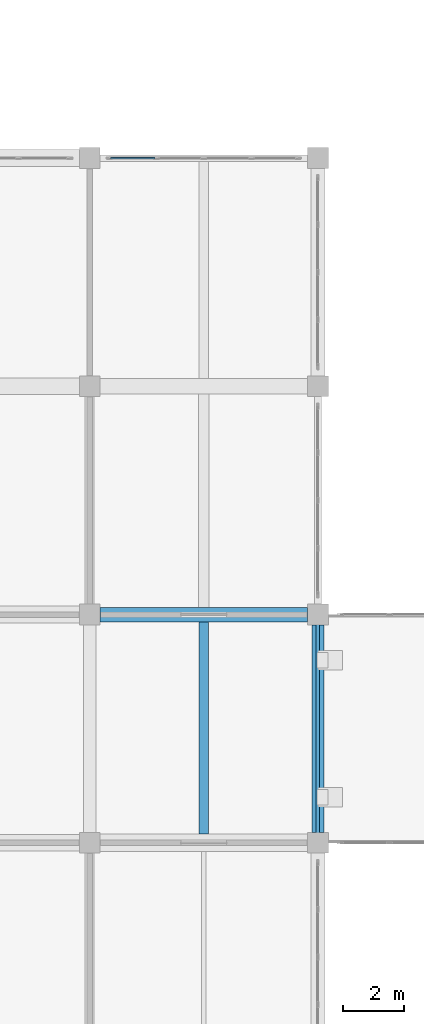
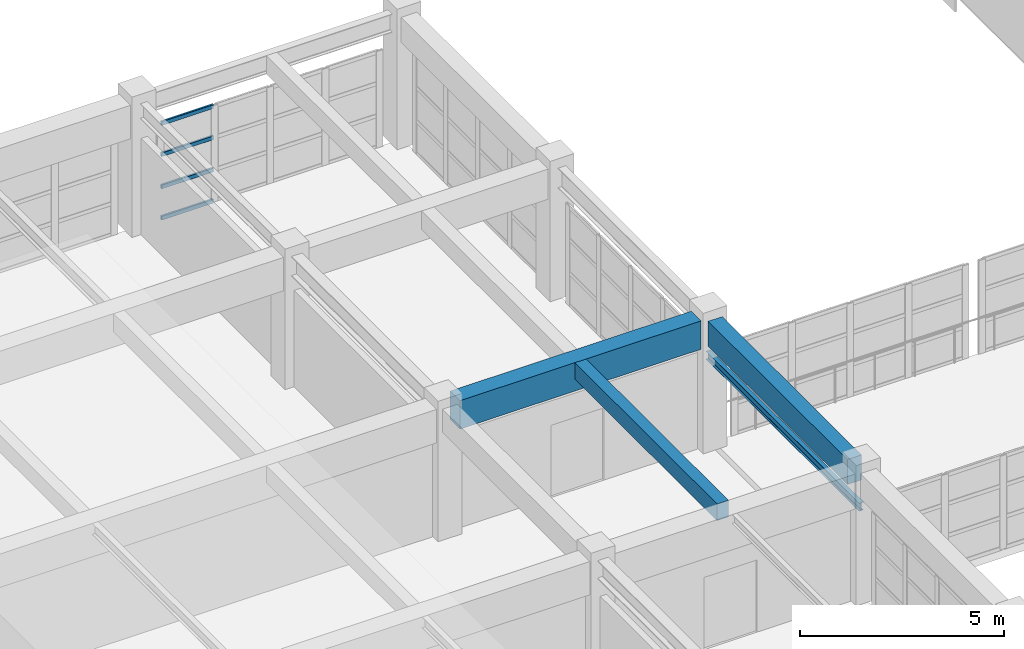
# One storey, part 22 of 132: 4 beams, 4 members, 1 element without a shape of its own.
"""IFC4 building model written with IfcOpenShell, lengths in metres."""

from ifc_helpers import new_model, si_unit, direction, frame, origin, origin_2d, place, context, subcontext, project, spatial, rectangle, hollow_rectangle, i_section, extrude, material, material_profile, profile_set, type_object, element, aggregate, save


model = new_model("IFC4")

# Units and contexts
model_context = context("Model", 3, precision=1e-05, world=origin(), true_north=direction((0.0, 1.0)))
body_context = subcontext(model_context, "Body", "Model", "MODEL_VIEW")
ifc_project = project(units=[si_unit("LENGTHUNIT", "METRE"), si_unit("AREAUNIT", "SQUARE_METRE"), si_unit("VOLUMEUNIT", "CUBIC_METRE"), si_unit("PLANEANGLEUNIT", "RADIAN"), si_unit("MASSUNIT", "GRAM", prefix="KILO")], contexts=[model_context])

# Site, building, storey
site_placement = place(None, origin())
site = spatial("IfcSite", under=ifc_project, at=site_placement, CompositionType="ELEMENT")
building_placement = place(site_placement, origin())
building = spatial("IfcBuilding", under=site, at=building_placement, Name="Qasida Concert Hall", CompositionType="ELEMENT")
storey_placement = place(building_placement, frame((0.0, 0.0, 4.800048828125)))
storey = spatial("IfcBuildingStorey", under=building, at=storey_placement, Name="L01", CompositionType="ELEMENT", Elevation=4.800048828125)

# Beams
ifc_material_1 = material(Name="Concrete C40/50", Category="concrete")
ifc_material_profile_1 = material_profile(ifc_material_1, rectangle(XDim=0.47998046875, YDim=0.85009765625, at=origin_2d()), Name="RC 480x850")
ifc_profile_set_1 = profile_set([ifc_material_profile_1], Name="Concrete C40/50")
beam_type_1 = type_object("IfcBeamType", Name="BM-G6", PredefinedType="USERDEFINED", material=ifc_profile_set_1)
beam_1_placement = place(storey_placement, frame((30.340087890625, 37.5, 3.494873046875), z_axis=(1.0, 0.0, 0.0), x_axis=(0.0, 1.0, 0.0)))
element("IfcBeam", 1, at=beam_1_placement, inside=storey, type_object=beam_type_1, Name="Primary girder 0913", ObjectType="GIRDER", PredefinedType="USERDEFINED", context=body_context, shape_type="SweptSolid", body=[
    extrude(rectangle(XDim=0.47998046875, YDim=0.85009765625, at=origin_2d()), origin(), (0.0, 0.0, 1.0), 6.81982421875),
])
ifc_material_profile_2 = material_profile(ifc_material_1, rectangle(XDim=0.320068359375, YDim=0.5, at=origin_2d()), Name="RC 320x500")
ifc_profile_set_2 = profile_set([ifc_material_profile_2], Name="Concrete C40/50")
beam_type_2 = type_object("IfcBeamType", Name="BM-J7", PredefinedType="JOIST", material=ifc_profile_set_2)
beam_2_placement = place(storey_placement, frame((33.75, 30.2900390625, 3.669921875), z_axis=(0.0, 1.0, 0.0), x_axis=(-1.0, 0.0, 0.0)))
element("IfcBeam", 2, at=beam_2_placement, inside=storey, type_object=beam_type_2, Name="L01 secondary joist 0974", PredefinedType="JOIST", context=body_context, shape_type="SweptSolid", body=[
    extrude(rectangle(XDim=0.320068359375, YDim=0.5, at=origin_2d()), origin(), (0.0, 0.0, 1.0), 6.969970703125),
])
ifc_material_2 = material(Name="Steel S355J2", Category="steel")
ifc_material_profile_3 = material_profile(ifc_material_2, i_section(OverallWidth=0.1201171875, OverallDepth=0.239990234375, WebThickness=0.006103515625, FlangeThickness=0.009765625, FilletRadius=0.014892578125, at=origin_2d()), Name="IPE 240")
ifc_profile_set_3 = profile_set([ifc_material_profile_3], Name="Steel S355J2")
beam_type_3 = type_object("IfcBeamType", Name="BM-LN2", PredefinedType="LINTEL", material=ifc_profile_set_3)
beam_3_placement = place(storey_placement, frame((37.5, 30.0, 2.64990234375), z_axis=(0.0, 1.0, 0.0), x_axis=(-1.0, 0.0, 0.0)))
element("IfcBeam", 3, at=beam_3_placement, inside=storey, type_object=beam_type_3, Name="L01 portal lintel beam 009", PredefinedType="LINTEL", context=body_context, shape_type="SweptSolid", body=[
    extrude(i_section(OverallWidth=0.1201171875, OverallDepth=0.239990234375, WebThickness=0.006103515625, FlangeThickness=0.009765625, FilletRadius=0.014892578125, at=origin_2d()), origin(), (0.0, 0.0, 1.0), 7.5),
])
ifc_material_profile_4 = material_profile(ifc_material_1, rectangle(XDim=0.39990234375, YDim=0.75, at=origin_2d()), Name="RC 400x750")
ifc_profile_set_4 = profile_set([ifc_material_profile_4], Name="Concrete C40/50")
beam_type_4 = type_object("IfcBeamType", Name="BM-SP1", PredefinedType="SPANDREL", material=ifc_profile_set_4)
beam_4_placement = place(storey_placement, frame((37.5, 30.340087890625, 3.544921875), z_axis=(0.0, 1.0, 0.0), x_axis=(-1.0, 0.0, 0.0)))
element("IfcBeam", 4, at=beam_4_placement, inside=storey, type_object=beam_type_4, Name="L01 girder 0945", PredefinedType="SPANDREL", context=body_context, shape_type="SweptSolid", body=[
    extrude(rectangle(XDim=0.39990234375, YDim=0.75, at=origin_2d()), origin(), (0.0, 0.0, 1.0), 6.81982421875),
])

# Curtain wall, members
ifc_material_3 = material(Name="Architectural bronze-anodized aluminium and low-E glass", Category="aluminium")
curtain_wall_type = type_object("IfcCurtainWallType", Name="CW-07", PredefinedType="NOTDEFINED", material=ifc_material_3)
curtain_wall_placement = place(storey_placement, origin())
curtain_wall = element("IfcCurtainWall", 5, at=curtain_wall_placement, inside=storey, type_object=curtain_wall_type, Name="L01 curtain wall CW-07 0090", PredefinedType="NOTDEFINED")
ifc_material_4 = material(Name="Architectural bronze-anodized aluminium EN AW-6063", Category="aluminium")
ifc_material_profile_5 = material_profile(ifc_material_4, hollow_rectangle(XDim=0.06005859375, YDim=0.1201171875, WallThickness=0.00390625, InnerFilletRadius=0.00390625, OuterFilletRadius=0.008056640625, at=origin_2d()), Name="CWT 120x60x4")
ifc_profile_set_5 = profile_set([ifc_material_profile_5], Name="Architectural bronze-anodized aluminium EN AW-6063")
member_type = type_object("IfcMemberType", Name="MB-CWT-2", PredefinedType="USERDEFINED", material=ifc_profile_set_5)
member_1_placement = place(storey_placement, frame((30.68505859375, 52.5, 0.030029296875), z_axis=(1.0, 0.0, 0.0), x_axis=(0.0, 1.0, 0.0)))
member_1 = element("IfcMember", 6, at=member_1_placement, type_object=member_type, Name="CW-07 transom 1.1", ObjectType="TRANSOM", PredefinedType="USERDEFINED", context=body_context, shape_type="SweptSolid", body=[
    extrude(hollow_rectangle(XDim=0.06005859375, YDim=0.1201171875, WallThickness=0.00390625, InnerFilletRadius=0.00390625, OuterFilletRadius=0.008056640625, at=origin_2d()), origin(), (0.0, 0.0, 1.0), 1.467529296875),
])
member_2_placement = place(storey_placement, frame((30.68505859375, 52.5, 0.963134765625), z_axis=(1.0, 0.0, 0.0), x_axis=(0.0, 1.0, 0.0)))
member_2 = element("IfcMember", 7, at=member_2_placement, type_object=member_type, Name="CW-07 transom 1.2", ObjectType="TRANSOM", PredefinedType="USERDEFINED", context=body_context, shape_type="SweptSolid", body=[
    extrude(hollow_rectangle(XDim=0.06005859375, YDim=0.1201171875, WallThickness=0.00390625, InnerFilletRadius=0.00390625, OuterFilletRadius=0.008056640625, at=origin_2d()), origin(), (0.0, 0.0, 1.0), 1.467529296875),
])
member_3_placement = place(storey_placement, frame((30.68505859375, 52.5, 1.9267578125), z_axis=(1.0, 0.0, 0.0), x_axis=(0.0, 1.0, 0.0)))
member_3 = element("IfcMember", 8, at=member_3_placement, type_object=member_type, Name="CW-07 transom 1.3", ObjectType="TRANSOM", PredefinedType="USERDEFINED", context=body_context, shape_type="SweptSolid", body=[
    extrude(hollow_rectangle(XDim=0.06005859375, YDim=0.1201171875, WallThickness=0.00390625, InnerFilletRadius=0.00390625, OuterFilletRadius=0.008056640625, at=origin_2d()), origin(), (0.0, 0.0, 1.0), 1.467529296875),
])
member_4_placement = place(storey_placement, frame((30.68505859375, 52.5, 2.85986328125), z_axis=(1.0, 0.0, 0.0), x_axis=(0.0, 1.0, 0.0)))
member_4 = element("IfcMember", 9, at=member_4_placement, type_object=member_type, Name="CW-07 transom 1.4", ObjectType="TRANSOM", PredefinedType="USERDEFINED", context=body_context, shape_type="SweptSolid", body=[
    extrude(hollow_rectangle(XDim=0.06005859375, YDim=0.1201171875, WallThickness=0.00390625, InnerFilletRadius=0.00390625, OuterFilletRadius=0.008056640625, at=origin_2d()), origin(), (0.0, 0.0, 1.0), 1.467529296875),
])
aggregate(curtain_wall, [member_1, member_2, member_3, member_4])

save(model, "model.ifc")
